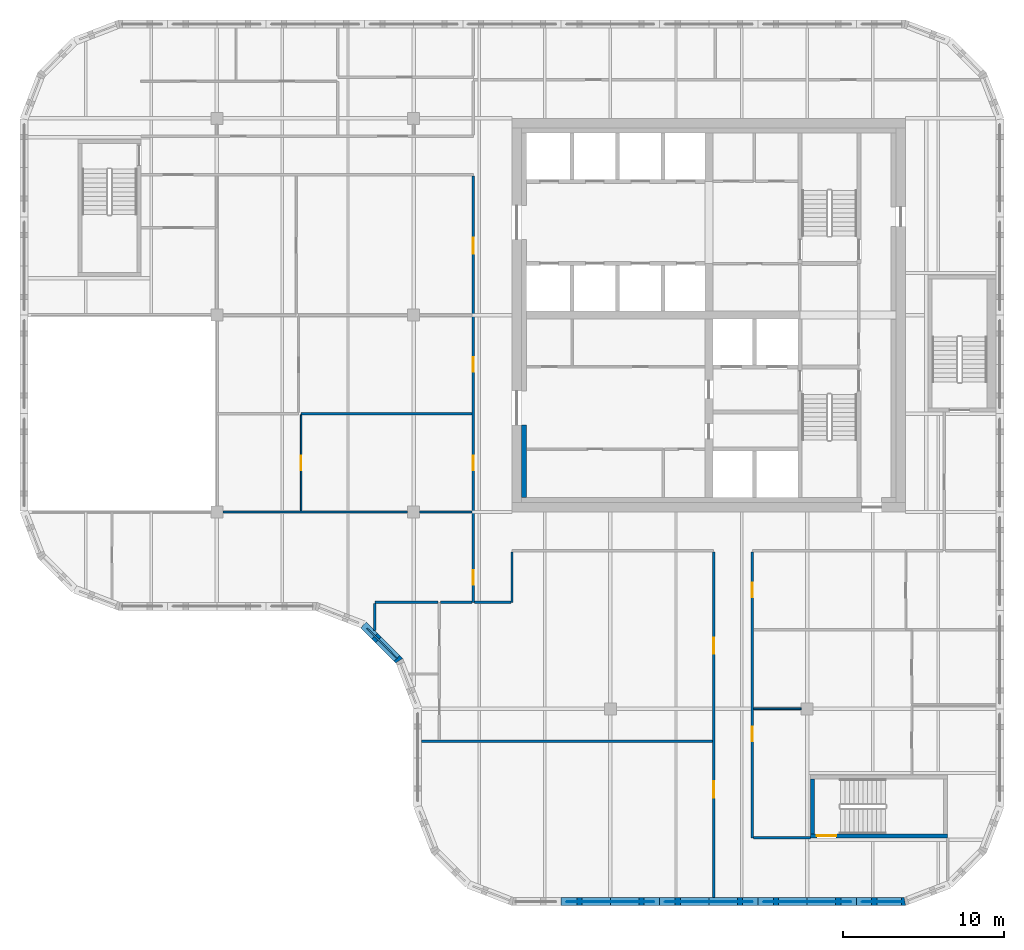
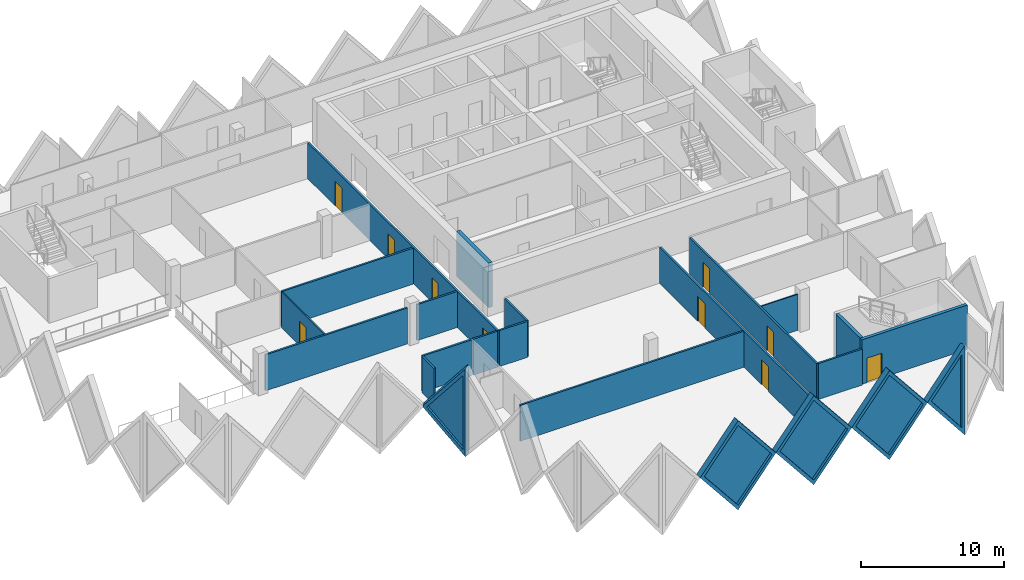
# One storey, part 4 of 12: 23 walls, 10 doors, 5 plates, 15 openings.
"""IFC4 building model written with IfcOpenShell, lengths in metres."""

from ifc_helpers import new_model, si_unit, direction, frame, frame_2d, origin, place, context, subcontext, project, spatial, polyline, rectangle, outline, extrude, faceted_brep, source, transform, mapped, material, layer, layer_set, type_object, element, fill, save


model = new_model("IFC4")

# Units and contexts
model_context = context("Model", 3, precision=1e-05, world=origin(), true_north=direction((0.0, 1.0)))
body_context = subcontext(model_context, "Body", "Model", "MODEL_VIEW")
ifc_project = project(units=[si_unit("LENGTHUNIT", "METRE"), si_unit("AREAUNIT", "SQUARE_METRE"), si_unit("VOLUMEUNIT", "CUBIC_METRE"), si_unit("PLANEANGLEUNIT", "RADIAN"), si_unit("MASSUNIT", "GRAM", prefix="KILO")], contexts=[model_context])

# Site, building, storey
site_placement = place(None, origin())
site = spatial("IfcSite", under=ifc_project, at=site_placement, CompositionType="ELEMENT")
building_placement = place(site_placement, origin())
building = spatial("IfcBuilding", under=site, at=building_placement, Name="Tessera Gate Towers", CompositionType="ELEMENT")
storey_placement = place(building_placement, frame((0.0, 0.0, 185.800048828125)))
storey = spatial("IfcBuildingStorey", under=building, at=storey_placement, Name="L46", CompositionType="ELEMENT", Elevation=185.800048828125)

# Wall, opening, door
ifc_material_1 = material(Name="Concrete C40/50", Category="concrete")
ifc_layer_1 = layer(ifc_material_1, 0.25)
ifc_layer_set_1 = layer_set([ifc_layer_1], Name="CORE ENCLOSURE WALL 250")
wall_type_1 = type_object("IfcWallType", Name="CORE ENCLOSURE WALL 250", PredefinedType="SOLIDWALL", material=ifc_layer_set_1)
wall_1_placement = place(storey_placement, frame((57.5, 4.324951171875, 0.0), z_axis=(0.0, 0.0, 1.0), x_axis=(-1.0, 0.0, 0.0)))
wall_1 = element("IfcWall", 1, at=wall_1_placement, inside=storey, type_object=wall_type_1, Name="L46 ST4 enclosure wall", PredefinedType="SOLIDWALL", context=body_context, shape_type="SweptSolid", body=[
    extrude(rectangle(XDim=8.5, YDim=0.25, at=frame_2d((4.25, 0.0))), origin(), (0.0, 0.0, 1.0), 3.800048828125),
])
shared_shape_1 = source(origin(), body_context, "Body", "SweptSolid", [
    extrude(rectangle(XDim=1.199951171875, YDim=2.10009765625, at=frame_2d((0.60009765625, 1.050048828125))), frame((0.0, 0.135009765625, 0.0), z_axis=(0.0, -1.0, 0.0), x_axis=(1.0, 0.0, 0.0)), (0.0, 0.0, 1.0), 0.27001953125),
])
opening_1_placement = place(wall_1_placement, frame((6.89990234375, 0.0, 0.0)))
opening_1 = element("IfcOpeningElement", 2, at=opening_1_placement, cuts=wall_1, Name="Opening SD-ST4-1", PredefinedType="OPENING", context=body_context, shape_type="MappedRepresentation", body=[
    mapped(shared_shape_1, transform((0.0, 0.0, 0.0), scale=1.0)),
])
ifc_material_2 = material(Name="Hollow steel fire door", Category="steel")
door_type_1 = type_object("IfcDoorType", Name="CORE DOOR SD 1200x2100", OperationType="NOTDEFINED", PredefinedType="DOOR", material=ifc_material_2)
shared_shape_2 = source(origin(), body_context, "Body", "SweptSolid", [
    extrude(rectangle(XDim=1.199951171875, YDim=2.10009765625, at=frame_2d((0.60009765625, 1.050048828125))), frame((0.0, 0.02490234375, 0.0), z_axis=(0.0, -1.0, 0.0), x_axis=(1.0, 0.0, 0.0)), (0.0, 0.0, 1.0), 0.050048828125),
])
door_1_placement = place(opening_1_placement, origin())
door_1 = element("IfcDoor", 3, at=door_1_placement, inside=storey, type_object=door_type_1, Name="Stair door", OperationType="SINGLE_SWING_RIGHT", OverallHeight=2.10009765625, OverallWidth=1.199951171875, PredefinedType="DOOR", context=body_context, shape_type="MappedRepresentation", body=[
    mapped(shared_shape_2, transform((0.0, 0.0, 0.0), scale=1.0)),
])
fill(opening_1, door_1)

# Walls
wall_2_placement = place(storey_placement, frame((49.125, 4.449951171875, 0.0), z_axis=(0.0, 0.0, 1.0), x_axis=(0.0, 1.0, 0.0)))
element("IfcWall", 4, at=wall_2_placement, inside=storey, type_object=wall_type_1, Name="L46 ST4 enclosure wall", PredefinedType="SOLIDWALL", context=body_context, shape_type="SweptSolid", body=[
    extrude(rectangle(XDim=3.400146484375, YDim=0.25, at=frame_2d((1.7001953125, 0.0))), origin(), (0.0, 0.0, 1.0), 3.800048828125),
])
ifc_material_3 = material(Name="Concrete C50/60", Category="concrete")
ifc_layer_2 = layer(ifc_material_3, 0.300048828125)
ifc_layer_set_2 = layer_set([ifc_layer_2], Name="CORE WALL THICKENING 300")
wall_type_2 = type_object("IfcWallType", Name="CORE WALL THICKENING 300", PredefinedType="SOLIDWALL", material=ifc_layer_set_2)
wall_3_placement = place(storey_placement, frame((31.25, 25.300048828125, 0.0), z_axis=(0.0, 0.0, 1.0), x_axis=(0.0, 1.0, 0.0)))
element("IfcWall", 5, at=wall_3_placement, inside=storey, type_object=wall_type_2, Name="Core wall thickening W L46", PredefinedType="SOLIDWALL", context=body_context, shape_type="SweptSolid", body=[
    extrude(rectangle(XDim=4.5, YDim=0.300048828125, at=frame_2d((2.25, 0.0))), origin(), (0.0, 0.0, 1.0), 3.800048828125),
])

# Wall, openings, doors
ifc_material_4 = material(Name="Gypsum board on steel studs, mineral wool", Category="steel")
ifc_layer_3 = layer(ifc_material_4, 0.14990234375)
ifc_layer_set_3 = layer_set([ifc_layer_3], Name="CORRIDOR WALL 150")
wall_type_3 = type_object("IfcWallType", Name="CORRIDOR WALL 150", PredefinedType="PARTITIONING", material=ifc_layer_set_3)
wall_4_placement = place(storey_placement, frame((43.0, 0.5, 0.0), z_axis=(0.0, 0.0, 1.0), x_axis=(0.0, 1.0, 0.0)))
wall_4 = element("IfcWall", 6, at=wall_4_placement, inside=storey, type_object=wall_type_3, Name="T1-L46-PW-001", PredefinedType="PARTITIONING", context=body_context, shape_type="SweptSolid", body=[
    extrude(rectangle(XDim=21.424072265625, YDim=0.14990234375, at=frame_2d((10.7119140625, 0.0))), origin(), (0.0, 0.0, 1.0), 3.06689453125),
])
shared_shape_3 = source(origin(), body_context, "Body", "SweptSolid", [
    extrude(rectangle(XDim=1.0, YDim=2.10009765625, at=frame_2d((0.5, 1.050048828125))), frame((0.0, 0.0849609375, 0.0), z_axis=(0.0, -1.0, 0.0), x_axis=(1.0, 0.0, 0.0)), (0.0, 0.0, 1.0), 0.169921875),
])
opening_2_placement = place(wall_4_placement, frame((6.199951171875, 0.0, 0.0)))
opening_2 = element("IfcOpeningElement", 7, at=opening_2_placement, cuts=wall_4, Name="Opening D2100FD60-A17-01", PredefinedType="OPENING", context=body_context, shape_type="MappedRepresentation", body=[
    mapped(shared_shape_3, transform((0.0, 0.0, 0.0), scale=1.0)),
])
opening_3_placement = place(wall_4_placement, frame((15.10009765625, 0.0, 0.0)))
opening_3 = element("IfcOpeningElement", 8, at=opening_3_placement, cuts=wall_4, Name="Opening D2100FD60-A17-03", PredefinedType="OPENING", context=body_context, shape_type="MappedRepresentation", body=[
    mapped(shared_shape_3, transform((0.0, 0.0, 0.0), scale=1.0)),
])
ifc_material_5 = material(Name="Timber door leaf in steel frame", Category="steel")
door_type_2 = type_object("IfcDoorType", Name="TENANCY ENTRANCE DOOR 1000 FD60", OperationType="NOTDEFINED", PredefinedType="DOOR", material=ifc_material_5)
shared_shape_4 = source(origin(), body_context, "Body", "SweptSolid", [
    extrude(rectangle(XDim=1.0, YDim=2.10009765625, at=frame_2d((0.5, 1.050048828125))), frame((0.0, 0.02490234375, 0.0), z_axis=(0.0, -1.0, 0.0), x_axis=(1.0, 0.0, 0.0)), (0.0, 0.0, 1.0), 0.050048828125),
])
door_2_placement = place(opening_2_placement, origin())
door_2 = element("IfcDoor", 9, at=door_2_placement, inside=storey, type_object=door_type_2, Name="T1-L46-PD-014", OperationType="SINGLE_SWING_LEFT", OverallHeight=2.10009765625, OverallWidth=1.0, PredefinedType="DOOR", context=body_context, shape_type="MappedRepresentation", body=[
    mapped(shared_shape_4, transform((0.0, 0.0, 0.0), scale=1.0)),
])
fill(opening_2, door_2)
door_3_placement = place(opening_3_placement, origin())
door_3 = element("IfcDoor", 10, at=door_3_placement, inside=storey, type_object=door_type_2, Name="T1-L46-PD-023", OperationType="SINGLE_SWING_LEFT", OverallHeight=2.10009765625, OverallWidth=1.0, PredefinedType="DOOR", context=body_context, shape_type="MappedRepresentation", body=[
    mapped(shared_shape_4, transform((0.0, 0.0, 0.0), scale=1.0)),
])
fill(opening_3, door_3)

wall_5_placement = place(storey_placement, frame((45.39990234375, 21.924072265625, 0.0), z_axis=(0.0, 0.0, 1.0), x_axis=(0.0, -1.0, 0.0)))
wall_5 = element("IfcWall", 11, at=wall_5_placement, inside=storey, type_object=wall_type_3, Name="T1-L46-PW-003", PredefinedType="PARTITIONING", context=body_context, shape_type="SweptSolid", body=[
    extrude(rectangle(XDim=17.72412109375, YDim=0.14990234375, at=frame_2d((8.862060546875, 0.0))), origin(), (0.0, 0.0, 1.0), 3.06689453125),
])
shared_shape_5 = source(origin(), body_context, "Body", "SweptSolid", [
    extrude(rectangle(XDim=0.89990234375, YDim=2.10009765625, at=frame_2d((0.449951171875, 1.050048828125))), frame((0.0, 0.0849609375, 0.0), z_axis=(0.0, -1.0, 0.0), x_axis=(1.0, 0.0, 0.0)), (0.0, 0.0, 1.0), 0.169921875),
])
opening_4_placement = place(wall_5_placement, frame((1.923095703125, 0.0, 0.0)))
opening_4 = element("IfcOpeningElement", 12, at=opening_4_placement, cuts=wall_5, Name="Opening D890FD60-A17-02", PredefinedType="OPENING", context=body_context, shape_type="MappedRepresentation", body=[
    mapped(shared_shape_5, transform((0.0, 0.0, 0.0), scale=1.0)),
])
opening_5_placement = place(wall_5_placement, frame((10.823974609375, 0.0, 0.0)))
opening_5 = element("IfcOpeningElement", 13, at=opening_5_placement, cuts=wall_5, Name="Opening D890FD60-A17-07", PredefinedType="OPENING", context=body_context, shape_type="MappedRepresentation", body=[
    mapped(shared_shape_5, transform((0.0, 0.0, 0.0), scale=1.0)),
])
ifc_material_6 = material(Name="Timber door leaf in steel frame", Category="steel")
door_type_3 = type_object("IfcDoorType", Name="CORRIDOR DOOR 900 FD60", OperationType="NOTDEFINED", PredefinedType="DOOR", material=ifc_material_6)
shared_shape_6 = source(origin(), body_context, "Body", "SweptSolid", [
    extrude(rectangle(XDim=0.89990234375, YDim=2.10009765625, at=frame_2d((0.449951171875, 1.050048828125))), frame((0.0, 0.02490234375, 0.0), z_axis=(0.0, -1.0, 0.0), x_axis=(1.0, 0.0, 0.0)), (0.0, 0.0, 1.0), 0.050048828125),
])
door_4_placement = place(opening_4_placement, origin())
door_4 = element("IfcDoor", 14, at=door_4_placement, inside=storey, type_object=door_type_3, Name="T1-L46-PD-009", OperationType="SINGLE_SWING_RIGHT", OverallHeight=2.10009765625, OverallWidth=0.89990234375, PredefinedType="DOOR", context=body_context, shape_type="MappedRepresentation", body=[
    mapped(shared_shape_6, transform((0.0, 0.0, 0.0), scale=1.0)),
])
fill(opening_4, door_4)
door_5_placement = place(opening_5_placement, origin())
door_5 = element("IfcDoor", 15, at=door_5_placement, inside=storey, type_object=door_type_3, Name="T1-L46-PD-025", OperationType="SINGLE_SWING_RIGHT", OverallHeight=2.10009765625, OverallWidth=0.89990234375, PredefinedType="DOOR", context=body_context, shape_type="MappedRepresentation", body=[
    mapped(shared_shape_6, transform((0.0, 0.0, 0.0), scale=1.0)),
])
fill(opening_5, door_5)

# Wall
wall_6_placement = place(storey_placement, frame((45.47607421875, 4.199951171875, 0.0), z_axis=(0.0, 0.0, 1.0), x_axis=(1.0, 0.0, 0.0)))
element("IfcWall", 16, at=wall_6_placement, inside=storey, type_object=wall_type_3, Name="T1-L46-PW-004", PredefinedType="PARTITIONING", context=body_context, shape_type="SweptSolid", body=[
    extrude(rectangle(XDim=3.52392578125, YDim=0.14990234375, at=frame_2d((1.761962890625, 0.0))), origin(), (0.0, 0.0, 1.0), 3.06689453125),
])

# Wall, openings, doors
wall_7_placement = place(storey_placement, frame((28.10009765625, 18.800048828125, 0.0), z_axis=(0.0, 0.0, 1.0), x_axis=(0.0, 1.0, 0.0)))
wall_7 = element("IfcWall", 17, at=wall_7_placement, inside=storey, type_object=wall_type_3, Name="T1-L46-PW-019", PredefinedType="PARTITIONING", context=body_context, shape_type="SweptSolid", body=[
    extrude(rectangle(XDim=26.424072265625, YDim=0.14990234375, at=frame_2d((13.2119140625, 0.0))), origin(), (0.0, 0.0, 1.0), 3.06689453125),
])
opening_6_placement = place(wall_7_placement, frame((1.10009765625, 0.0, 0.0)))
opening_6 = element("IfcOpeningElement", 18, at=opening_6_placement, cuts=wall_7, Name="Opening D890FD60-A17-01", PredefinedType="OPENING", context=body_context, shape_type="MappedRepresentation", body=[
    mapped(shared_shape_5, transform((0.0, 0.0, 0.0), scale=1.0)),
])
opening_7_placement = place(wall_7_placement, frame((14.301025390625, 0.0, 0.0)))
opening_7 = element("IfcOpeningElement", 19, at=opening_7_placement, cuts=wall_7, Name="Opening D890FD60-A17-03", PredefinedType="OPENING", context=body_context, shape_type="MappedRepresentation", body=[
    mapped(shared_shape_5, transform((0.0, 0.0, 0.0), scale=1.0)),
])
opening_8_placement = place(wall_7_placement, frame((8.199951171875, 0.0, 0.0)))
opening_8 = element("IfcOpeningElement", 20, at=opening_8_placement, cuts=wall_7, Name="Opening D890FD60-A17-04", PredefinedType="OPENING", context=body_context, shape_type="MappedRepresentation", body=[
    mapped(shared_shape_5, transform((0.0, 0.0, 0.0), scale=1.0)),
])
opening_9_placement = place(wall_7_placement, frame((21.60009765625, 0.0, 0.0)))
opening_9 = element("IfcOpeningElement", 21, at=opening_9_placement, cuts=wall_7, Name="Opening D2100FD60-A17-02", PredefinedType="OPENING", context=body_context, shape_type="MappedRepresentation", body=[
    mapped(shared_shape_3, transform((0.0, 0.0, 0.0), scale=1.0)),
])
door_6_placement = place(opening_6_placement, origin())
door_6 = element("IfcDoor", 22, at=door_6_placement, inside=storey, type_object=door_type_3, Name="T1-L46-PD-001", OperationType="SINGLE_SWING_LEFT", OverallHeight=2.10009765625, OverallWidth=0.89990234375, PredefinedType="DOOR", context=body_context, shape_type="MappedRepresentation", body=[
    mapped(shared_shape_6, transform((0.0, 0.0, 0.0), scale=1.0)),
])
fill(opening_6, door_6)
door_7_placement = place(opening_7_placement, origin())
door_7 = element("IfcDoor", 23, at=door_7_placement, inside=storey, type_object=door_type_3, Name="T1-L46-PD-015", OperationType="SINGLE_SWING_LEFT", OverallHeight=2.10009765625, OverallWidth=0.89990234375, PredefinedType="DOOR", context=body_context, shape_type="MappedRepresentation", body=[
    mapped(shared_shape_6, transform((0.0, 0.0, 0.0), scale=1.0)),
])
fill(opening_7, door_7)
door_8_placement = place(opening_8_placement, origin())
door_8 = element("IfcDoor", 24, at=door_8_placement, inside=storey, type_object=door_type_3, Name="T1-L46-PD-016", OperationType="SINGLE_SWING_LEFT", OverallHeight=2.10009765625, OverallWidth=0.89990234375, PredefinedType="DOOR", context=body_context, shape_type="MappedRepresentation", body=[
    mapped(shared_shape_6, transform((0.0, 0.0, 0.0), scale=1.0)),
])
fill(opening_8, door_8)
door_9_placement = place(opening_9_placement, origin())
door_9 = element("IfcDoor", 25, at=door_9_placement, inside=storey, type_object=door_type_2, Name="T1-L46-PD-022", OperationType="SINGLE_SWING_LEFT", OverallHeight=2.10009765625, OverallWidth=1.0, PredefinedType="DOOR", context=body_context, shape_type="MappedRepresentation", body=[
    mapped(shared_shape_4, transform((0.0, 0.0, 0.0), scale=1.0)),
])
fill(opening_9, door_9)

# Walls
wall_8_placement = place(storey_placement, frame((28.176025390625, 18.800048828125, 0.0), z_axis=(0.0, 0.0, 1.0), x_axis=(1.0, 0.0, 0.0)))
element("IfcWall", 26, at=wall_8_placement, inside=storey, type_object=wall_type_3, Name="T1-L46-PW-020", PredefinedType="PARTITIONING", context=body_context, shape_type="SweptSolid", body=[
    extrude(rectangle(XDim=2.248046875, YDim=0.14990234375, at=frame_2d((1.1240234375, 0.0))), origin(), (0.0, 0.0, 1.0), 3.06689453125),
])
wall_9_placement = place(storey_placement, frame((30.5, 18.800048828125, 0.0), z_axis=(0.0, 0.0, 1.0), x_axis=(0.0, 1.0, 0.0)))
element("IfcWall", 27, at=wall_9_placement, inside=storey, type_object=wall_type_3, Name="T1-L46-PW-021", PredefinedType="PARTITIONING", context=body_context, shape_type="SweptSolid", body=[
    extrude(rectangle(XDim=3.1240234375, YDim=0.14990234375, at=frame_2d((1.56201171875, 0.0))), origin(), (0.0, 0.0, 1.0), 3.06689453125),
])
ifc_material_7 = material(Name="Gypsum board on steel studs", Category="steel")
ifc_layer_4 = layer(ifc_material_7, 0.10009765625)
ifc_layer_set_4 = layer_set([ifc_layer_4], Name="PARTITION 100")
wall_type_4 = type_object("IfcWallType", Name="PARTITION 100", PredefinedType="PARTITIONING", material=ifc_layer_set_4)
wall_10_placement = place(storey_placement, frame((48.425048828125, 12.199951171875, 0.0), z_axis=(0.0, 0.0, 1.0), x_axis=(-1.0, 0.0, 0.0)))
element("IfcWall", 28, at=wall_10_placement, inside=storey, type_object=wall_type_4, Name="T1-L46-PW-008", PredefinedType="PARTITIONING", context=body_context, shape_type="SweptSolid", body=[
    extrude(rectangle(XDim=2.949951171875, YDim=0.10009765625, at=frame_2d((1.47509765625, 0.0))), origin(), (0.0, 0.0, 1.0), 3.06689453125),
])

# Wall, opening, door
wall_11_placement = place(storey_placement, frame((17.425048828125, 24.47607421875, 0.0), z_axis=(0.0, 0.0, 1.0), x_axis=(0.0, 1.0, 0.0)))
wall_11 = element("IfcWall", 29, at=wall_11_placement, inside=storey, type_object=wall_type_4, Name="T1-L46-PW-030", PredefinedType="PARTITIONING", context=body_context, shape_type="SweptSolid", body=[
    extrude(rectangle(XDim=5.947998046875, YDim=0.10009765625, at=frame_2d((2.97412109375, 0.0))), origin(), (0.0, 0.0, 1.0), 3.06689453125),
])
shared_shape_7 = source(origin(), body_context, "Body", "SweptSolid", [
    extrude(rectangle(XDim=0.89990234375, YDim=2.10009765625, at=frame_2d((0.449951171875, 1.050048828125))), frame((0.0, 0.06005859375, 0.0), z_axis=(0.0, -1.0, 0.0), x_axis=(1.0, 0.0, 0.0)), (0.0, 0.0, 1.0), 0.1201171875),
])
opening_10_placement = place(wall_11_placement, frame((2.5, 0.0, 0.0)))
opening_10 = element("IfcOpeningElement", 30, at=opening_10_placement, cuts=wall_11, Name="Opening D190-A17-04", PredefinedType="OPENING", context=body_context, shape_type="MappedRepresentation", body=[
    mapped(shared_shape_7, transform((0.0, 0.0, 0.0), scale=1.0)),
])
ifc_material_8 = material(Name="Timber door leaf in steel frame", Category="steel")
door_type_4 = type_object("IfcDoorType", Name="INTERNAL DOOR 900 NOT RATED", OperationType="NOTDEFINED", PredefinedType="DOOR", material=ifc_material_8)
door_10_placement = place(opening_10_placement, origin())
door_10 = element("IfcDoor", 31, at=door_10_placement, inside=storey, type_object=door_type_4, Name="T1-L46-PD-012", OperationType="SINGLE_SWING_LEFT", OverallHeight=2.10009765625, OverallWidth=0.89990234375, PredefinedType="DOOR", context=body_context, shape_type="MappedRepresentation", body=[
    mapped(shared_shape_6, transform((0.0, 0.0, 0.0), scale=1.0)),
])
fill(opening_10, door_10)

# Walls
ifc_material_9 = material(Name="Gypsum board on steel studs, mineral wool", Category="steel")
ifc_layer_5 = layer(ifc_material_9, 0.14990234375)
ifc_layer_set_5 = layer_set([ifc_layer_5], Name="TENANCY WALL 150")
wall_type_5 = type_object("IfcWallType", Name="TENANCY WALL 150", PredefinedType="PARTITIONING", material=ifc_layer_set_5)
wall_12_placement = place(storey_placement, frame((24.89990234375, 10.199951171875, 0.0), z_axis=(0.0, 0.0, 1.0), x_axis=(1.0, 0.0, 0.0)))
element("IfcWall", 32, at=wall_12_placement, inside=storey, type_object=wall_type_5, Name="T1-L46-PW-006", PredefinedType="PARTITIONING", context=body_context, shape_type="SweptSolid", body=[
    extrude(rectangle(XDim=18.024169921875, YDim=0.14990234375, at=frame_2d((9.01220703125, 0.0))), origin(), (0.0, 0.0, 1.0), 3.06689453125),
])
wall_13_placement = place(storey_placement, frame((22.0, 17.054931640625, 0.0), z_axis=(0.0, 0.0, 1.0), x_axis=(0.0, 1.0, 0.0)))
element("IfcWall", 33, at=wall_13_placement, inside=storey, type_object=wall_type_5, Name="T1-L46-PW-012", PredefinedType="PARTITIONING", context=body_context, shape_type="SweptSolid", body=[
    extrude(rectangle(XDim=1.669189453125, YDim=0.14990234375, at=frame_2d((0.83447265625, 0.0))), origin(), (0.0, 0.0, 1.0), 3.06689453125),
])
wall_14_placement = place(storey_placement, frame((22.0, 18.800048828125, 0.0), z_axis=(0.0, 0.0, 1.0), x_axis=(1.0, 0.0, 0.0)))
element("IfcWall", 34, at=wall_14_placement, inside=storey, type_object=wall_type_5, Name="T1-L46-PW-017", PredefinedType="PARTITIONING", context=body_context, shape_type="SweptSolid", body=[
    extrude(rectangle(XDim=3.924072265625, YDim=0.14990234375, at=frame_2d((1.9619140625, 0.0))), origin(), (0.0, 0.0, 1.0), 3.06689453125),
])
wall_15_placement = place(storey_placement, frame((26.075927734375, 18.800048828125, 0.0), z_axis=(0.0, 0.0, 1.0), x_axis=(1.0, 0.0, 0.0)))
element("IfcWall", 35, at=wall_15_placement, inside=storey, type_object=wall_type_5, Name="T1-L46-PW-018", PredefinedType="PARTITIONING", context=body_context, shape_type="SweptSolid", body=[
    extrude(rectangle(XDim=1.947998046875, YDim=0.14990234375, at=frame_2d((0.97412109375, 0.0))), origin(), (0.0, 0.0, 1.0), 3.06689453125),
])
wall_16_placement = place(storey_placement, frame((12.575927734375, 24.39990234375, 0.0), z_axis=(0.0, 0.0, 1.0), x_axis=(1.0, 0.0, 0.0)))
element("IfcWall", 36, at=wall_16_placement, inside=storey, type_object=wall_type_5, Name="T1-L46-PW-028", PredefinedType="PARTITIONING", context=body_context, shape_type="SweptSolid", body=[
    extrude(rectangle(XDim=11.447998046875, YDim=0.14990234375, at=frame_2d((5.72412109375, 0.0))), origin(), (0.0, 0.0, 1.0), 3.06689453125),
])
wall_17_placement = place(storey_placement, frame((24.77587890625, 24.39990234375, 0.0), z_axis=(0.0, 0.0, 1.0), x_axis=(1.0, 0.0, 0.0)))
element("IfcWall", 37, at=wall_17_placement, inside=storey, type_object=wall_type_5, Name="T1-L46-PW-029", PredefinedType="PARTITIONING", context=body_context, shape_type="SweptSolid", body=[
    extrude(rectangle(XDim=3.248046875, YDim=0.14990234375, at=frame_2d((1.6240234375, 0.0))), origin(), (0.0, 0.0, 1.0), 3.06689453125),
])
wall_18_placement = place(storey_placement, frame((17.425048828125, 30.5, 0.0), z_axis=(0.0, 0.0, 1.0), x_axis=(1.0, 0.0, 0.0)))
element("IfcWall", 38, at=wall_18_placement, inside=storey, type_object=wall_type_5, Name="T1-L46-PW-032", PredefinedType="PARTITIONING", context=body_context, shape_type="SweptSolid", body=[
    extrude(rectangle(XDim=10.598876953125, YDim=0.14990234375, at=frame_2d((5.29931640625, 0.0))), origin(), (0.0, 0.0, 1.0), 3.06689453125),
])

# Wall, opening, plate
ifc_material_10 = material(Name="Precast concrete C60/75 white", Category="concrete")
ifc_layer_6 = layer(ifc_material_10, 0.5)
ifc_layer_set_6 = layer_set([ifc_layer_6], Name="TS1 tessera")
wall_type_6 = type_object("IfcWallType", Name="TS1 tessera", PredefinedType="SOLIDWALL", material=ifc_layer_set_6)
shared_shape_8 = source(origin(), body_context, "Body", "Brep", [
    faceted_brep([(3.050048828125, -0.25, 0.0), (6.099853515625, -0.25, 3.7998046875), (6.099853515625, -0.25, 3.80029296875), (3.050048828125, -0.25, 7.60009765625), (0.0, -0.25, 3.800048828125), (0.0, 0.25, 3.800048828125), (3.050048828125, 0.25, 7.60009765625), (6.099853515625, 0.25, 3.80029296875), (6.099853515625, 0.25, 3.7998046875), (3.050048828125, 0.25, 0.0)], [[[0, 1, 2, 3, 4]], [[5, 6, 7, 8, 9]], [[9, 8, 1, 0]], [[7, 6, 3, 2]], [[6, 5, 4, 3]], [[5, 9, 0, 4]], [[1, 8, 7, 2]]]),
])
wall_19_placement = place(storey_placement, frame((33.550048828125, 0.25, -3.800048828125), z_axis=(0.0, 0.0, 1.0), x_axis=(1.0, 0.0, 0.0)))
wall_19 = element("IfcWall", 39, at=wall_19_placement, inside=storey, type_object=wall_type_6, Name="Precast tessera T1 TS1-0805", PredefinedType="SOLIDWALL", context=body_context, shape_type="MappedRepresentation", body=[
    mapped(shared_shape_8, transform((0.0, 0.0, 0.0), scale=1.0)),
])
shared_shape_9 = source(origin(), body_context, "Body", "SweptSolid", [
    extrude(outline(polyline([(3.050048828125, 0.3994140625), (5.779541015625, 3.800048828125), (3.050048828125, 7.20068359375), (0.320556640625, 3.800048828125), (3.050048828125, 0.3994140625)])), frame((0.0, 0.260009765625, 0.0), z_axis=(0.0, -1.0, 0.0), x_axis=(1.0, 0.0, 0.0)), (0.0, 0.0, 1.0), 0.52001953125),
])
opening_11_placement = place(wall_19_placement, origin())
opening_11 = element("IfcOpeningElement", 40, at=opening_11_placement, cuts=wall_19, Name="Opening T1-PL2-1647", PredefinedType="OPENING", context=body_context, shape_type="MappedRepresentation", body=[
    mapped(shared_shape_9, transform((0.0, 0.0, 0.0), scale=1.0)),
])
ifc_material_11 = material(Name="Low-e laminated glass", Category="glass")
ifc_layer_7 = layer(ifc_material_11, 0.06005859375)
ifc_layer_set_7 = layer_set([ifc_layer_7], Name="PL2 rhombic pane")
plate_type = type_object("IfcPlateType", Name="PL2 rhombic pane", PredefinedType="SHEET", material=ifc_layer_set_7)
shared_shape_10 = source(origin(), body_context, "Body", "SweptSolid", [
    extrude(outline(polyline([(3.050048828125, 0.3994140625), (5.779541015625, 3.800048828125), (3.050048828125, 7.20068359375), (0.320556640625, 3.800048828125), (3.050048828125, 0.3994140625)])), frame((0.0, 0.030029296875, 0.0), z_axis=(0.0, -1.0, 0.0), x_axis=(1.0, 0.0, 0.0)), (0.0, 0.0, 1.0), 0.06005859375),
])
plate_1_placement = place(opening_11_placement, origin())
plate_1 = element("IfcPlate", 41, at=plate_1_placement, inside=storey, type_object=plate_type, Name="Glass pane T1 PL2-1647", PredefinedType="SHEET", context=body_context, shape_type="MappedRepresentation", body=[
    mapped(shared_shape_10, transform((0.0, 0.0, 0.0), scale=1.0)),
])
fill(opening_11, plate_1)

shared_shape_11 = source(origin(), body_context, "Body", "SweptSolid", [
    extrude(outline(polyline([(3.050048828125, 0.0), (6.10009765625, 3.800048828125), (3.050048828125, 7.60009765625), (0.0, 3.800048828125), (3.050048828125, 0.0)])), frame((0.0, 0.25, 0.0), z_axis=(0.0, -1.0, 0.0), x_axis=(1.0, 0.0, 0.0)), (0.0, 0.0, 1.0), 0.5),
])
wall_20_placement = place(storey_placement, frame((39.64990234375, 0.25, -3.800048828125), z_axis=(0.0, 0.0, 1.0), x_axis=(1.0, 0.0, 0.0)))
wall_20 = element("IfcWall", 42, at=wall_20_placement, inside=storey, type_object=wall_type_6, Name="Precast tessera T1 TS1-0806", PredefinedType="SOLIDWALL", context=body_context, shape_type="MappedRepresentation", body=[
    mapped(shared_shape_11, transform((0.0, 0.0, 0.0), scale=1.0)),
])
opening_12_placement = place(wall_20_placement, origin())
opening_12 = element("IfcOpeningElement", 43, at=opening_12_placement, cuts=wall_20, Name="Opening T1-PL2-1648", PredefinedType="OPENING", context=body_context, shape_type="MappedRepresentation", body=[
    mapped(shared_shape_9, transform((0.0, 0.0, 0.0), scale=1.0)),
])
plate_2_placement = place(opening_12_placement, origin())
plate_2 = element("IfcPlate", 44, at=plate_2_placement, inside=storey, type_object=plate_type, Name="Glass pane T1 PL2-1648", PredefinedType="SHEET", context=body_context, shape_type="MappedRepresentation", body=[
    mapped(shared_shape_10, transform((0.0, 0.0, 0.0), scale=1.0)),
])
fill(opening_12, plate_2)

wall_21_placement = place(storey_placement, frame((45.75, 0.25, -3.800048828125), z_axis=(0.0, 0.0, 1.0), x_axis=(1.0, 0.0, 0.0)))
wall_21 = element("IfcWall", 45, at=wall_21_placement, inside=storey, type_object=wall_type_6, Name="Precast tessera T1 TS1-0807", PredefinedType="SOLIDWALL", context=body_context, shape_type="MappedRepresentation", body=[
    mapped(shared_shape_11, transform((0.0, 0.0, 0.0), scale=1.0)),
])
opening_13_placement = place(wall_21_placement, origin())
opening_13 = element("IfcOpeningElement", 46, at=opening_13_placement, cuts=wall_21, Name="Opening T1-PL2-1649", PredefinedType="OPENING", context=body_context, shape_type="MappedRepresentation", body=[
    mapped(shared_shape_9, transform((0.0, 0.0, 0.0), scale=1.0)),
])
plate_3_placement = place(opening_13_placement, origin())
plate_3 = element("IfcPlate", 47, at=plate_3_placement, inside=storey, type_object=plate_type, Name="Glass pane T1 PL2-1649", PredefinedType="SHEET", context=body_context, shape_type="MappedRepresentation", body=[
    mapped(shared_shape_10, transform((0.0, 0.0, 0.0), scale=1.0)),
])
fill(opening_13, plate_3)

ifc_material_12 = material(Name="Precast concrete C60/75 white", Category="concrete")
ifc_layer_8 = layer(ifc_material_12, 0.5)
ifc_layer_set_8 = layer_set([ifc_layer_8], Name="TS3 corner tessera")
wall_type_7 = type_object("IfcWallType", Name="TS3 corner tessera", PredefinedType="SOLIDWALL", material=ifc_layer_set_8)
shared_shape_12 = source(origin(), body_context, "Body", "Brep", [
    faceted_brep([(3.00341796875, -0.25, 0.0), (3.050048828125, -0.25, 0.06005859375), (3.050048828125, -0.25, 7.5400390625), (3.00341796875, -0.25, 7.60009765625), (0.0, -0.25, 3.800048828125), (0.0, 0.25, 3.800048828125), (2.956787109375, 0.25, 7.541259765625), (2.956787109375, 0.25, 0.058837890625), (3.00341796875, 0.000244140625, 0.0), (3.00341796875, 0.000244140625, 7.60009765625)], [[[0, 1, 2, 3, 4]], [[5, 6, 7]], [[1, 0, 8]], [[9, 3, 2]], [[6, 5, 4, 3, 9]], [[5, 7, 8, 0, 4]], [[1, 8, 7, 6, 9, 2]]]),
])
wall_22_placement = place(storey_placement, frame((51.85009765625, 0.25, -3.800048828125), z_axis=(0.0, 0.0, 1.0), x_axis=(1.0, 0.0, 0.0)))
wall_22 = element("IfcWall", 48, at=wall_22_placement, inside=storey, type_object=wall_type_7, Name="Precast corner tessera T1 TS3-1059", PredefinedType="SOLIDWALL", context=body_context, shape_type="MappedRepresentation", body=[
    mapped(shared_shape_12, transform((0.0, 0.0, 0.0), scale=1.0)),
])
shared_shape_13 = source(origin(), body_context, "Body", "SweptSolid", [
    extrude(outline(polyline([(2.803466796875, 6.94384765625), (0.318603515625, 3.800048828125), (2.803466796875, 0.65625), (2.803466796875, 6.94384765625)])), frame((0.0, 0.260009765625, 0.0), z_axis=(0.0, -1.0, 0.0), x_axis=(1.0, 0.0, 0.0)), (0.0, 0.0, 1.0), 0.52001953125),
])
opening_14_placement = place(wall_22_placement, origin())
opening_14 = element("IfcOpeningElement", 49, at=opening_14_placement, cuts=wall_22, Name="Opening T1-PL2-1650", PredefinedType="OPENING", context=body_context, shape_type="MappedRepresentation", body=[
    mapped(shared_shape_13, transform((0.0, 0.0, 0.0), scale=1.0)),
])
shared_shape_14 = source(origin(), body_context, "Body", "SweptSolid", [
    extrude(outline(polyline([(2.803466796875, 6.94384765625), (0.318603515625, 3.800048828125), (2.803466796875, 0.65625), (2.803466796875, 6.94384765625)])), frame((0.0, 0.030029296875, 0.0), z_axis=(0.0, -1.0, 0.0), x_axis=(1.0, 0.0, 0.0)), (0.0, 0.0, 1.0), 0.06005859375),
])
plate_4_placement = place(opening_14_placement, origin())
plate_4 = element("IfcPlate", 50, at=plate_4_placement, inside=storey, type_object=plate_type, Name="Glass pane T1 PL2-1650", PredefinedType="SHEET", context=body_context, shape_type="MappedRepresentation", body=[
    mapped(shared_shape_14, transform((0.0, 0.0, 0.0), scale=1.0)),
])
fill(opening_14, plate_4)

shared_shape_15 = source(origin(), body_context, "Body", "Brep", [
    faceted_brep([(3.10302734375, -0.25, 7.536376953125), (0.052978515625, -0.25, 3.86376953125), (0.052978515625, -0.25, 3.736328125), (3.10302734375, -0.25, 0.063720703125), (0.0, 0.25, 3.800048828125), (3.15576171875, 0.25, 7.60009765625), (3.208740234375, 0.25, 7.5361328125), (3.208740234375, 0.25, 0.06396484375), (3.15576171875, 0.25, 0.0), (3.15576171875, -0.00048828125, 0.0), (3.15576171875, -0.00048828125, 7.60009765625), (0.0, 0.0, 3.800048828125)], [[[0, 1, 2, 3]], [[4, 5, 6, 7, 8]], [[8, 7, 9]], [[6, 5, 10]], [[5, 4, 11, 1, 0, 10]], [[4, 8, 9, 3, 2, 11]], [[11, 2, 1]], [[3, 9, 7, 6, 10, 0]]]),
])
wall_23_placement = place(storey_placement, frame((21.284912109375, 17.41650390625, -3.800048828125), z_axis=(0.0, 0.0, 1.0), x_axis=(0.707106781187, -0.707106781187, 0.0)))
wall_23 = element("IfcWall", 51, at=wall_23_placement, inside=storey, type_object=wall_type_7, Name="Precast corner tessera T1 TS3-1077", PredefinedType="SOLIDWALL", context=body_context, shape_type="MappedRepresentation", body=[
    mapped(shared_shape_15, transform((0.0, 0.0, 0.0), scale=1.0)),
])
shared_shape_16 = source(origin(), body_context, "Body", "SweptSolid", [
    extrude(outline(polyline([(2.955810546875, 6.9677734375), (0.324951171875, 3.800048828125), (2.955810546875, 0.632080078125), (2.955810546875, 6.9677734375)])), frame((0.0, 0.260009765625, 0.0), z_axis=(0.0, -1.0, 0.0), x_axis=(1.0, 0.0, 0.0)), (0.0, 0.0, 1.0), 0.52001953125),
])
opening_15_placement = place(wall_23_placement, origin())
opening_15 = element("IfcOpeningElement", 52, at=opening_15_placement, cuts=wall_23, Name="Opening T1-PL2-1687", PredefinedType="OPENING", context=body_context, shape_type="MappedRepresentation", body=[
    mapped(shared_shape_16, transform((0.0, 0.0, 0.0), scale=1.0)),
])
shared_shape_17 = source(origin(), body_context, "Body", "SweptSolid", [
    extrude(outline(polyline([(2.955810546875, 6.9677734375), (0.324951171875, 3.800048828125), (2.955810546875, 0.632080078125), (2.955810546875, 6.9677734375)])), frame((0.0, 0.030029296875, 0.0), z_axis=(0.0, -1.0, 0.0), x_axis=(1.0, 0.0, 0.0)), (0.0, 0.0, 1.0), 0.06005859375),
])
plate_5_placement = place(opening_15_placement, origin())
plate_5 = element("IfcPlate", 53, at=plate_5_placement, inside=storey, type_object=plate_type, Name="Glass pane T1 PL2-1687", PredefinedType="SHEET", context=body_context, shape_type="MappedRepresentation", body=[
    mapped(shared_shape_17, transform((0.0, 0.0, 0.0), scale=1.0)),
])
fill(opening_15, plate_5)

save(model, "model.ifc")
